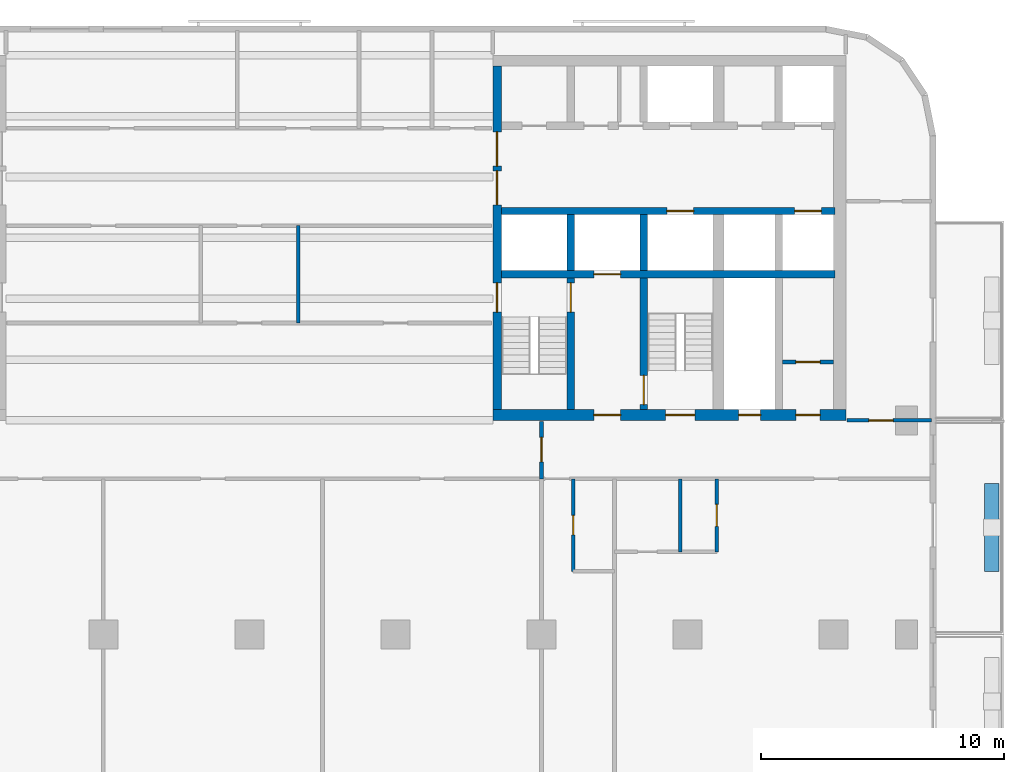
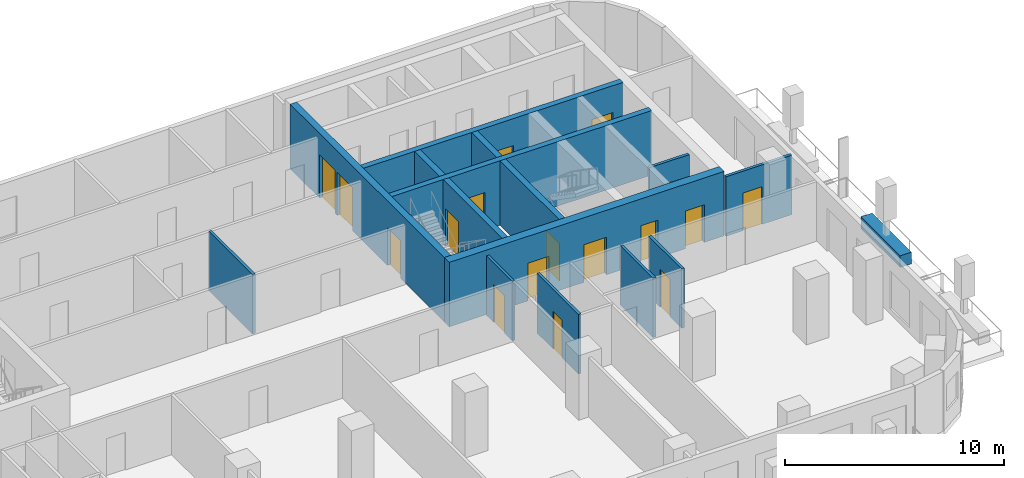
# One storey, part 5 of 11: 17 doors, 16 walls, 17 openings.
"""IFC4 building model written with IfcOpenShell, lengths in metres."""

import ifcopenshell
import ifcopenshell.guid

model = None  # the IFC model being written
_history = None  # IfcOwnerHistory: only IFC2X3 demands one
_inside = {}  # id of a spatial element -> (the spatial element, [elements in it])
_under = {}  # id of a project, library or spatial element -> (it, [spatial elements below it])
_declared = {}  # id of a project -> (the project, [libraries it declares])
_typed = {}  # id of a type object -> (the type object, [elements of that type])
_made_of = {}  # id of a material, layer set ... -> (it, [elements and type objects made of it])


def new_model(schema):
    """Start an empty IFC model of exactly this schema.

    Asked for "IFC4X3", IfcOpenShell would pick the latest addendum, in which some entities
    have other attributes; the version numbers below select the first issue.
    IFC2X3 requires an IfcOwnerHistory on every rooted entity: one is made here for all.
    """
    global model, _history
    if schema == "IFC4X3":
        model = ifcopenshell.file(schema_version=(4, 3, 0, 0))
    else:
        model = ifcopenshell.file(schema=schema)
    _inside.clear()
    _under.clear()
    _declared.clear()
    _typed.clear()
    _made_of.clear()
    _history = None
    if model.schema == "IFC2X3":
        org = make("IfcOrganization", Name="unknown")
        user = make(
            "IfcPersonAndOrganization",
            ThePerson=make("IfcPerson", FamilyName="unknown"),
            TheOrganization=org,
        )
        app = make(
            "IfcApplication",
            ApplicationDeveloper=org,
            Version="unknown",
            ApplicationFullName="unknown",
            ApplicationIdentifier="unknown",
        )
        _history = make(
            "IfcOwnerHistory",
            OwningUser=user,
            OwningApplication=app,
            ChangeAction="ADDED",
            CreationDate=0,
        )
    return model


def make(cls, **values):
    """One entity of the class cls with the attributes given. An attribute that is None is left unset."""
    return model.create_entity(
        cls, **{name: value for name, value in values.items() if value is not None}
    )


def rooted(cls, **values):
    """An entity with a GlobalId (a new one), such as an element, a storey or a relation."""
    return make(cls, GlobalId=ifcopenshell.guid.new(), OwnerHistory=_history, **values)


def si_unit(unit_type, name, prefix=None):
    """IfcSIUnit, for example si_unit("LENGTHUNIT", "METRE", prefix="MILLI")."""
    return make("IfcSIUnit", UnitType=unit_type, Prefix=prefix, Name=name)


def assignment(units):
    """IfcUnitAssignment: the units of a project."""
    return None if units is None else make("IfcUnitAssignment", Units=units)


def point(xyz):
    """IfcCartesianPoint."""
    return None if xyz is None else make("IfcCartesianPoint", Coordinates=xyz)


def direction(xyz):
    """IfcDirection."""
    return None if xyz is None else make("IfcDirection", DirectionRatios=xyz)


def frame(location, z_axis=None, x_axis=None):
    """IfcAxis2Placement3D, a coordinate frame: its origin and axes. An axis left out is left unset."""
    return make(
        "IfcAxis2Placement3D",
        Location=point(location),
        Axis=direction(z_axis),
        RefDirection=direction(x_axis),
    )


def frame_2d(location, x_axis=None):
    """IfcAxis2Placement2D, a coordinate frame in the plane: its origin and x axis."""
    return make(
        "IfcAxis2Placement2D", Location=point(location), RefDirection=direction(x_axis)
    )


def origin():
    """The frame at (0, 0, 0) with its axes left unset."""
    return frame((0.0, 0.0, 0.0))


def place(relative_to, where):
    """IfcLocalPlacement: puts the frame where relative to a parent placement (None: the world)."""
    return make(
        "IfcLocalPlacement", PlacementRelTo=relative_to, RelativePlacement=where
    )


def context(
    kind, dimensions, precision=None, world=None, true_north=None, identifier=None
):
    """IfcGeometricRepresentationContext, for example the 3D "Model" context."""
    return make(
        "IfcGeometricRepresentationContext",
        ContextIdentifier=identifier,
        ContextType=kind,
        CoordinateSpaceDimension=dimensions,
        Precision=precision,
        WorldCoordinateSystem=world,
        TrueNorth=true_north,
    )


def subcontext(parent, identifier, kind, view, scale=None):
    """IfcGeometricRepresentationSubContext, for example "Body" below "Model"."""
    return make(
        "IfcGeometricRepresentationSubContext",
        ContextIdentifier=identifier,
        ContextType=kind,
        ParentContext=parent,
        TargetScale=scale,
        TargetView=view,
    )


def project(units=None, contexts=None):
    """IfcProject with its units and contexts."""
    return rooted(
        "IfcProject",
        Name="project",
        RepresentationContexts=contexts,
        UnitsInContext=assignment(units),
    )


def spatial(cls, under=None, at=None, **own):
    """A site, building, storey or space (cls), placed at a placement, below another one or the project."""
    s = rooted(cls, ObjectPlacement=at, **own)
    if under is not None:
        _under.setdefault(under.id(), (under, []))[1].append(s)
    return s


def profile(cls, at=None, kind="AREA", **sizes):
    """A parametric profile (cls). Its sizes go by their IFC names, for example OverallWidth=200.0."""
    return make(cls, ProfileType=kind, Position=at, **sizes)


def rectangle(**sizes):
    """IfcRectangleProfileDef."""
    return profile("IfcRectangleProfileDef", **sizes)


def extrude(swept, where, along, depth):
    """IfcExtrudedAreaSolid: the profile swept, set in the frame where, extruded along a direction by depth."""
    return make(
        "IfcExtrudedAreaSolid",
        SweptArea=swept,
        Position=where,
        ExtrudedDirection=direction(along),
        Depth=depth,
    )


def shape(context_of_items, identifier, shape_type, items):
    """IfcShapeRepresentation: the items that make up one representation, for example the "Body"."""
    return make(
        "IfcShapeRepresentation",
        ContextOfItems=context_of_items,
        RepresentationIdentifier=identifier,
        RepresentationType=shape_type,
        Items=items,
    )


def material(Name=None, Category=None):
    """IfcMaterial."""
    return make("IfcMaterial", Name=Name, Category=Category)


def layer(
    of_material, thickness, ventilated=None, Name=None, Category=None, Priority=None
):
    """IfcMaterialLayer: one layer of a wall or slab, of a material (None: an air gap)."""
    return make(
        "IfcMaterialLayer",
        Material=of_material,
        LayerThickness=thickness,
        IsVentilated=ventilated,
        Name=Name,
        Category=Category,
        Priority=Priority,
    )


def layer_set(layers, Name=None):
    """IfcMaterialLayerSet."""
    return make("IfcMaterialLayerSet", MaterialLayers=layers, LayerSetName=Name)


def made_of(thing, what):
    """Note that an element or type object is made of a material, layer set ...; save() writes the relation."""
    if what is not None:
        _made_of.setdefault(what.id(), (what, []))[1].append(thing)
    return thing


def type_object(cls, material=None, **own):
    """A type object (cls), such as IfcWallType, which elements share."""
    return made_of(rooted(cls, **own), material)


def element(
    cls,
    number,
    at=None,
    inside=None,
    cuts=None,
    type_object=None,
    material=None,
    context=None,
    identifier="Body",
    shape_type=None,
    held_by="IfcProductDefinitionShape",
    body=None,
    shapes=None,
    **own,
):
    """One element of the class cls, such as IfcWall. Its Tag is "e" and its number.

    at: its placement. inside: the storey or other place that contains it. cuts: it is an
    opening in that element (IfcRelVoidsElement). A single representation is given by context,
    identifier, shape_type and body (its items); several are given by shapes. held_by: the class
    of the entity that holds the representations. save() writes the other relations.
    """
    e = rooted(cls, Tag="e%d" % number, ObjectPlacement=at, **own)
    if body is not None:
        shapes = [shape(context, identifier, shape_type, body)]
    if shapes is not None:
        e.Representation = make(held_by, Representations=shapes)
    if inside is not None:
        _inside.setdefault(inside.id(), (inside, []))[1].append(e)
    if cuts is not None:
        rooted(
            "IfcRelVoidsElement", RelatingBuildingElement=cuts, RelatedOpeningElement=e
        )
    if type_object is not None:
        _typed.setdefault(type_object.id(), (type_object, []))[1].append(e)
    return made_of(e, material)


def fill(opening, filler):
    """IfcRelFillsElement: the door or window that sits in an opening."""
    return rooted(
        "IfcRelFillsElement",
        RelatingOpeningElement=opening,
        RelatedBuildingElement=filler,
    )


def aggregate(whole, parts):
    """IfcRelAggregates: a whole, such as a stair, and the parts it consists of."""
    return rooted("IfcRelAggregates", RelatingObject=whole, RelatedObjects=parts)


def save(model, path):
    """Write the relations noted so far, then the file.

    IfcRelAggregates (storeys below a building ...), IfcRelContainedInSpatialStructure (elements
    in a storey), IfcRelDefinesByType, IfcRelAssociatesMaterial and IfcRelDeclares: one each for
    every whole, place, type object, material and project.
    """
    for whole, parts in _under.values():
        aggregate(whole, parts)
    for where, things in _inside.values():
        rooted(
            "IfcRelContainedInSpatialStructure",
            RelatedElements=things,
            RelatingStructure=where,
        )
    for kind, things in _typed.values():
        rooted("IfcRelDefinesByType", RelatedObjects=things, RelatingType=kind)
    for what, things in _made_of.values():
        rooted("IfcRelAssociatesMaterial", RelatedObjects=things, RelatingMaterial=what)
    for by, libraries in _declared.values():
        rooted("IfcRelDeclares", RelatingContext=by, RelatedDefinitions=libraries)
    model.write(path)


model = new_model("IFC4")

# Units and contexts
model_context = context("Model", 3, precision=1e-05, world=origin(), true_north=direction((0.0, 1.0)))
body_context = subcontext(model_context, "Body", "Model", "MODEL_VIEW")
ifc_project = project(units=[si_unit("LENGTHUNIT", "METRE"), si_unit("AREAUNIT", "SQUARE_METRE"), si_unit("VOLUMEUNIT", "CUBIC_METRE"), si_unit("PLANEANGLEUNIT", "RADIAN"), si_unit("MASSUNIT", "GRAM", prefix="KILO")], contexts=[model_context])

# Site, building, storey
site_placement = place(None, origin())
site = spatial("IfcSite", under=ifc_project, at=site_placement, CompositionType="ELEMENT")
building_placement = place(site_placement, origin())
building = spatial("IfcBuilding", under=site, at=building_placement, Name="Torana Hotel and Residences", CompositionType="ELEMENT")
storey_placement = place(building_placement, frame((0.0, 0.0, 134.39990234375)))
storey = spatial("IfcBuildingStorey", under=building, at=storey_placement, Name="L34", CompositionType="ELEMENT", Elevation=134.39990234375)

# Wall, openings, doors
ifc_material_1 = material(Name="Concrete C70/85", Category="concrete")
ifc_layer_1 = layer(ifc_material_1, 0.300048828125)
ifc_layer_set_1 = layer_set([ifc_layer_1], Name="CORE WALL 300 C70/85")
wall_type_1 = type_object("IfcWallType", Name="CORE WALL 300 C70/85", PredefinedType="SHEAR", material=ifc_layer_set_1)
wall_1_placement = place(storey_placement, frame((10.35009765625, -6.39990234375, 0.0), z_axis=(0.0, 0.0, 1.0), x_axis=(1.0, 0.0, 0.0)))
wall_1 = element("IfcWall", 1, at=wall_1_placement, inside=storey, type_object=wall_type_1, Name="Core wall E row-S", PredefinedType="SHEAR", context=body_context, shape_type="SweptSolid", body=[
    extrude(rectangle(XDim=13.699951171875, YDim=0.300048828125, at=frame_2d((6.85009765625, 0.0))), origin(), (0.0, 0.0, 1.0), 3.60009765625),
])
opening_1_placement = place(wall_1_placement, frame((12.050048828125, 0.0, 0.0)))
opening_1 = element("IfcOpeningElement", 2, at=opening_1_placement, cuts=wall_1, Name="Opening LD", PredefinedType="OPENING", context=body_context, shape_type="SweptSolid", body=[
    extrude(rectangle(XDim=1.10009765625, YDim=2.10009765625, at=frame_2d((0.550048828125, 1.050048828125))), frame((0.0, 0.159912109375, 0.0), z_axis=(0.0, -1.0, 0.0), x_axis=(1.0, 0.0, 0.0)), (0.0, 0.0, 1.0), 0.320068359375),
])
opening_2_placement = place(wall_1_placement, frame((6.800048828125, 0.0, 0.0)))
opening_2 = element("IfcOpeningElement", 3, at=opening_2_placement, cuts=wall_1, Name="Opening LD", PredefinedType="OPENING", context=body_context, shape_type="SweptSolid", body=[
    extrude(rectangle(XDim=1.10009765625, YDim=2.10009765625, at=frame_2d((0.550048828125, 1.050048828125))), frame((0.0, 0.159912109375, 0.0), z_axis=(0.0, -1.0, 0.0), x_axis=(1.0, 0.0, 0.0)), (0.0, 0.0, 1.0), 0.320068359375),
])
ifc_material_2 = material(Name="Stainless steel 316", Category="steel")
door_type_1 = type_object("IfcDoorType", Name="LIFT LANDING DOOR LD 1100x2100", OperationType="DOUBLE_DOOR_SLIDING", PredefinedType="USERDEFINED", material=ifc_material_2)
door_1_placement = place(opening_1_placement, origin())
door_1 = element("IfcDoor", 4, at=door_1_placement, inside=storey, type_object=door_type_1, Name="Lift landing door M4 L34", ObjectType="LIFT LANDING DOOR", OperationType="DOUBLE_DOOR_SLIDING", OverallHeight=2.10009765625, OverallWidth=1.10009765625, PredefinedType="USERDEFINED", context=body_context, shape_type="SweptSolid", body=[
    extrude(rectangle(XDim=1.10009765625, YDim=2.10009765625, at=frame_2d((0.550048828125, 1.050048828125))), frame((0.0, 0.02490234375, 0.0), z_axis=(0.0, -1.0, 0.0), x_axis=(1.0, 0.0, 0.0)), (0.0, 0.0, 1.0), 0.050048828125),
])
fill(opening_1, door_1)
door_2_placement = place(opening_2_placement, origin())
door_2 = element("IfcDoor", 5, at=door_2_placement, inside=storey, type_object=door_type_1, Name="Lift landing door SV2 L34", ObjectType="LIFT LANDING DOOR", OperationType="DOUBLE_DOOR_SLIDING", OverallHeight=2.10009765625, OverallWidth=1.10009765625, PredefinedType="USERDEFINED", context=body_context, shape_type="SweptSolid", body=[
    extrude(rectangle(XDim=1.10009765625, YDim=2.10009765625, at=frame_2d((0.550048828125, 1.050048828125))), frame((0.0, 0.02490234375, 0.0), z_axis=(0.0, -1.0, 0.0), x_axis=(1.0, 0.0, 0.0)), (0.0, 0.0, 1.0), 0.050048828125),
])
fill(opening_2, door_2)

# Wall, opening, door
wall_2_placement = place(storey_placement, frame((10.35009765625, -9.0, 0.0), z_axis=(0.0, 0.0, 1.0), x_axis=(1.0, 0.0, 0.0)))
wall_2 = element("IfcWall", 6, at=wall_2_placement, inside=storey, type_object=wall_type_1, Name="Core wall E band", PredefinedType="SHEAR", context=body_context, shape_type="SweptSolid", body=[
    extrude(rectangle(XDim=13.699951171875, YDim=0.300048828125, at=frame_2d((6.85009765625, 0.0))), origin(), (0.0, 0.0, 1.0), 3.60009765625),
])
opening_3_placement = place(wall_2_placement, frame((3.800048828125, 0.0, 0.0)))
opening_3 = element("IfcOpeningElement", 7, at=opening_3_placement, cuts=wall_2, Name="Opening LD", PredefinedType="OPENING", context=body_context, shape_type="SweptSolid", body=[
    extrude(rectangle(XDim=1.10009765625, YDim=2.10009765625, at=frame_2d((0.550048828125, 1.050048828125))), frame((0.0, 0.159912109375, 0.0), z_axis=(0.0, -1.0, 0.0), x_axis=(1.0, 0.0, 0.0)), (0.0, 0.0, 1.0), 0.320068359375),
])
door_3_placement = place(opening_3_placement, origin())
door_3 = element("IfcDoor", 8, at=door_3_placement, inside=storey, type_object=door_type_1, Name="Lift landing door FF2 L34", ObjectType="LIFT LANDING DOOR", OperationType="DOUBLE_DOOR_SLIDING", OverallHeight=2.10009765625, OverallWidth=1.10009765625, PredefinedType="USERDEFINED", context=body_context, shape_type="SweptSolid", body=[
    extrude(rectangle(XDim=1.10009765625, YDim=2.10009765625, at=frame_2d((0.550048828125, 1.050048828125))), frame((0.0, 0.02490234375, 0.0), z_axis=(0.0, -1.0, 0.0), x_axis=(1.0, 0.0, 0.0)), (0.0, 0.0, 1.0), 0.050048828125),
])
fill(opening_3, door_3)

# Wall
wall_3_placement = place(storey_placement, frame((13.199951171875, -8.85009765625, 0.0), z_axis=(0.0, 0.0, 1.0), x_axis=(0.0, 1.0, 0.0)))
element("IfcWall", 9, at=wall_3_placement, inside=storey, type_object=wall_type_1, Name="Core wall E x3.05-S", PredefinedType="SHEAR", context=body_context, shape_type="SweptSolid", body=[
    extrude(rectangle(XDim=2.300048828125, YDim=0.300048828125, at=frame_2d((1.14990234375, 0.0))), origin(), (0.0, 0.0, 1.0), 3.60009765625),
])

# Wall, opening, door
wall_4_placement = place(storey_placement, frame((13.199951171875, -14.550048828125, 0.0), z_axis=(0.0, 0.0, 1.0), x_axis=(0.0, 1.0, 0.0)))
wall_4 = element("IfcWall", 10, at=wall_4_placement, inside=storey, type_object=wall_type_1, Name="Core wall E x3.05-band", PredefinedType="SHEAR", context=body_context, shape_type="SweptSolid", body=[
    extrude(rectangle(XDim=5.400146484375, YDim=0.300048828125, at=frame_2d((2.7001953125, 0.0))), origin(), (0.0, 0.0, 1.0), 3.60009765625),
])
opening_4_placement = place(wall_4_placement, frame((4.0, 0.0, 0.0)))
opening_4 = element("IfcOpeningElement", 11, at=opening_4_placement, cuts=wall_4, Name="Opening L34-27", PredefinedType="OPENING", context=body_context, shape_type="SweptSolid", body=[
    extrude(rectangle(XDim=1.199951171875, YDim=2.10009765625, at=frame_2d((0.60009765625, 1.050048828125))), frame((0.0, 0.159912109375, 0.0), z_axis=(0.0, -1.0, 0.0), x_axis=(1.0, 0.0, 0.0)), (0.0, 0.0, 1.0), 0.320068359375),
])
ifc_material_3 = material(Name="Steel S235", Category="steel")
door_type_2 = type_object("IfcDoorType", Name="STAIR FIRE DOOR D3 1200x2100", OperationType="SINGLE_SWING_LEFT", PredefinedType="DOOR", material=ifc_material_3)
door_4_placement = place(opening_4_placement, origin())
door_4 = element("IfcDoor", 12, at=door_4_placement, inside=storey, type_object=door_type_2, Name="Stair-A-lobby door L34", OperationType="SINGLE_SWING_LEFT", OverallHeight=2.10009765625, OverallWidth=1.199951171875, PredefinedType="DOOR", context=body_context, shape_type="SweptSolid", body=[
    extrude(rectangle(XDim=1.199951171875, YDim=2.10009765625, at=frame_2d((0.60009765625, 1.050048828125))), frame((0.0, 0.02490234375, 0.0), z_axis=(0.0, -1.0, 0.0), x_axis=(1.0, 0.0, 0.0)), (0.0, 0.0, 1.0), 0.050048828125),
])
fill(opening_4, door_4)

# Wall
wall_5_placement = place(storey_placement, frame((16.199951171875, -8.85009765625, 0.0), z_axis=(0.0, 0.0, 1.0), x_axis=(0.0, 1.0, 0.0)))
element("IfcWall", 13, at=wall_5_placement, inside=storey, type_object=wall_type_1, Name="Core wall E x6.05-S", PredefinedType="SHEAR", context=body_context, shape_type="SweptSolid", body=[
    extrude(rectangle(XDim=2.300048828125, YDim=0.300048828125, at=frame_2d((1.14990234375, 0.0))), origin(), (0.0, 0.0, 1.0), 3.60009765625),
])

# Wall, opening, door
wall_6_placement = place(storey_placement, frame((16.199951171875, -14.550048828125, 0.0), z_axis=(0.0, 0.0, 1.0), x_axis=(0.0, 1.0, 0.0)))
wall_6 = element("IfcWall", 14, at=wall_6_placement, inside=storey, type_object=wall_type_1, Name="Core wall E x6.05-band", PredefinedType="SHEAR", context=body_context, shape_type="SweptSolid", body=[
    extrude(rectangle(XDim=5.400146484375, YDim=0.300048828125, at=frame_2d((2.7001953125, 0.0))), origin(), (0.0, 0.0, 1.0), 3.60009765625),
])
opening_5_placement = place(wall_6_placement, frame((0.199951171875, 0.0, 0.0)))
opening_5 = element("IfcOpeningElement", 15, at=opening_5_placement, cuts=wall_6, Name="Opening L34-28", PredefinedType="OPENING", context=body_context, shape_type="SweptSolid", body=[
    extrude(rectangle(XDim=1.199951171875, YDim=2.10009765625, at=frame_2d((0.60009765625, 1.050048828125))), frame((0.0, 0.159912109375, 0.0), z_axis=(0.0, -1.0, 0.0), x_axis=(1.0, 0.0, 0.0)), (0.0, 0.0, 1.0), 0.320068359375),
])
door_5_placement = place(opening_5_placement, frame((0.60009765625, 0.0, 0.0), z_axis=(0.0, 0.0, 1.0), x_axis=(-1.0, 0.0, 0.0)))
door_5 = element("IfcDoor", 16, at=door_5_placement, inside=storey, type_object=door_type_2, Name="Stair-B-lobby door L34", OperationType="SINGLE_SWING_LEFT", OverallHeight=2.10009765625, OverallWidth=1.199951171875, PredefinedType="DOOR", context=body_context, shape_type="SweptSolid", body=[
    extrude(rectangle(XDim=1.199951171875, YDim=2.10009765625, at=frame_2d((0.0, 1.050048828125))), frame((0.0, -0.02490234375, 0.0), z_axis=(0.0, 1.0, 0.0), x_axis=(-1.0, 0.0, 0.0)), (0.0, 0.0, 1.0), 0.050048828125),
])
fill(opening_5, door_5)

# Wall, openings, doors
ifc_material_4 = material(Name="Concrete C70/85", Category="concrete")
ifc_layer_2 = layer(ifc_material_4, 0.35009765625)
ifc_layer_set_2 = layer_set([ifc_layer_2], Name="CORE WALL 350 C70/85")
wall_type_2 = type_object("IfcWallType", Name="CORE WALL 350 C70/85", PredefinedType="SHEAR", material=ifc_layer_set_2)
wall_7_placement = place(storey_placement, frame((10.175048828125, -14.550048828125, 0.0), z_axis=(0.0, 0.0, 1.0), x_axis=(0.0, 1.0, 0.0)))
wall_7 = element("IfcWall", 17, at=wall_7_placement, inside=storey, type_object=wall_type_2, Name="Core wall E arch", PredefinedType="SHEAR", context=body_context, shape_type="SweptSolid", body=[
    extrude(rectangle(XDim=14.10009765625, YDim=0.35009765625, at=frame_2d((7.050048828125, 0.0))), origin(), (0.0, 0.0, 1.0), 3.60009765625),
])
opening_6_placement = place(wall_7_placement, frame((8.39990234375, 0.0, 0.0)))
opening_6 = element("IfcOpeningElement", 18, at=opening_6_placement, cuts=wall_7, Name="Opening L34-15", PredefinedType="OPENING", context=body_context, shape_type="SweptSolid", body=[
    extrude(rectangle(XDim=1.39990234375, YDim=2.39990234375, at=frame_2d((0.699951171875, 1.199951171875))), frame((0.0, 0.18505859375, 0.0), z_axis=(0.0, -1.0, 0.0), x_axis=(1.0, 0.0, 0.0)), (0.0, 0.0, 1.0), 0.3701171875),
])
opening_7_placement = place(wall_7_placement, frame((10.0, 0.0, 0.0)))
opening_7 = element("IfcOpeningElement", 19, at=opening_7_placement, cuts=wall_7, Name="Opening L34-16", PredefinedType="OPENING", context=body_context, shape_type="SweptSolid", body=[
    extrude(rectangle(XDim=1.39990234375, YDim=2.39990234375, at=frame_2d((0.699951171875, 1.199951171875))), frame((0.0, 0.18505859375, 0.0), z_axis=(0.0, -1.0, 0.0), x_axis=(1.0, 0.0, 0.0)), (0.0, 0.0, 1.0), 0.3701171875),
])
opening_8_placement = place(wall_7_placement, frame((4.0, 0.0, 0.0)))
opening_8 = element("IfcOpeningElement", 20, at=opening_8_placement, cuts=wall_7, Name="Opening L34-17", PredefinedType="OPENING", context=body_context, shape_type="SweptSolid", body=[
    extrude(rectangle(XDim=1.199951171875, YDim=2.10009765625, at=frame_2d((0.60009765625, 1.050048828125))), frame((0.0, 0.18505859375, 0.0), z_axis=(0.0, -1.0, 0.0), x_axis=(1.0, 0.0, 0.0)), (0.0, 0.0, 1.0), 0.3701171875),
])
ifc_material_5 = material(Name="Steel S235", Category="steel")
door_type_3 = type_object("IfcDoorType", Name="LOBBY FIRE DOOR D4 1400x2400", OperationType="DOUBLE_DOOR_SINGLE_SWING", PredefinedType="DOOR", material=ifc_material_5)
door_6_placement = place(opening_6_placement, origin())
door_6 = element("IfcDoor", 21, at=door_6_placement, inside=storey, type_object=door_type_3, Name="Lobby-1 door L34", OperationType="DOUBLE_DOOR_SINGLE_SWING", OverallHeight=2.39990234375, OverallWidth=1.39990234375, PredefinedType="DOOR", context=body_context, shape_type="SweptSolid", body=[
    extrude(rectangle(XDim=1.39990234375, YDim=2.39990234375, at=frame_2d((0.699951171875, 1.199951171875))), frame((0.0, 0.02490234375, 0.0), z_axis=(0.0, -1.0, 0.0), x_axis=(1.0, 0.0, 0.0)), (0.0, 0.0, 1.0), 0.050048828125),
])
fill(opening_6, door_6)
door_7_placement = place(opening_7_placement, origin())
door_7 = element("IfcDoor", 22, at=door_7_placement, inside=storey, type_object=door_type_3, Name="Lobby-2 door L34", OperationType="DOUBLE_DOOR_SINGLE_SWING", OverallHeight=2.39990234375, OverallWidth=1.39990234375, PredefinedType="DOOR", context=body_context, shape_type="SweptSolid", body=[
    extrude(rectangle(XDim=1.39990234375, YDim=2.39990234375, at=frame_2d((0.699951171875, 1.199951171875))), frame((0.0, 0.02490234375, 0.0), z_axis=(0.0, -1.0, 0.0), x_axis=(1.0, 0.0, 0.0)), (0.0, 0.0, 1.0), 0.050048828125),
])
fill(opening_7, door_7)
door_8_placement = place(opening_8_placement, frame((0.60009765625, 0.0, 0.0), z_axis=(0.0, 0.0, 1.0), x_axis=(-1.0, 0.0, 0.0)))
door_8 = element("IfcDoor", 23, at=door_8_placement, inside=storey, type_object=door_type_2, Name="Stair-A door L34", OperationType="SINGLE_SWING_RIGHT", OverallHeight=2.10009765625, OverallWidth=1.199951171875, PredefinedType="DOOR", context=body_context, shape_type="SweptSolid", body=[
    extrude(rectangle(XDim=1.199951171875, YDim=2.10009765625, at=frame_2d((0.0, 1.050048828125))), frame((0.0, -0.02490234375, 0.0), z_axis=(0.0, 1.0, 0.0), x_axis=(-1.0, 0.0, 0.0)), (0.0, 0.0, 1.0), 0.050048828125),
])
fill(opening_8, door_8)

ifc_material_6 = material(Name="Concrete C70/85", Category="concrete")
ifc_layer_3 = layer(ifc_material_6, 0.449951171875)
ifc_layer_set_3 = layer_set([ifc_layer_3], Name="CORE WALL 450 C70/85")
wall_type_3 = type_object("IfcWallType", Name="CORE WALL 450 C70/85", PredefinedType="SHEAR", material=ifc_layer_set_3)
wall_8_placement = place(storey_placement, frame((10.0, -14.77490234375, 0.0), z_axis=(0.0, 0.0, 1.0), x_axis=(1.0, 0.0, 0.0)))
wall_8 = element("IfcWall", 24, at=wall_8_placement, inside=storey, type_object=wall_type_3, Name="Core wall E front", PredefinedType="SHEAR", context=body_context, shape_type="SweptSolid", body=[
    extrude(rectangle(XDim=14.5, YDim=0.449951171875, at=frame_2d((7.25, 0.0))), origin(), (0.0, 0.0, 1.0), 3.60009765625),
])
opening_9_placement = place(wall_8_placement, frame((7.10009765625, 0.0, 0.0)))
opening_9 = element("IfcOpeningElement", 25, at=opening_9_placement, cuts=wall_8, Name="Opening L34-18", PredefinedType="OPENING", context=body_context, shape_type="SweptSolid", body=[
    extrude(rectangle(XDim=1.199951171875, YDim=2.10009765625, at=frame_2d((0.60009765625, 1.050048828125))), frame((0.0, 0.23486328125, 0.0), z_axis=(0.0, -1.0, 0.0), x_axis=(1.0, 0.0, 0.0)), (0.0, 0.0, 1.0), 0.469970703125),
])
opening_10_placement = place(wall_8_placement, frame((4.14990234375, 0.0, 0.0)))
opening_10 = element("IfcOpeningElement", 26, at=opening_10_placement, cuts=wall_8, Name="Opening L34-19", PredefinedType="OPENING", context=body_context, shape_type="SweptSolid", body=[
    extrude(rectangle(XDim=1.10009765625, YDim=2.10009765625, at=frame_2d((0.550048828125, 1.050048828125))), frame((0.0, 0.23486328125, 0.0), z_axis=(0.0, -1.0, 0.0), x_axis=(1.0, 0.0, 0.0)), (0.0, 0.0, 1.0), 0.469970703125),
])
opening_11_placement = place(wall_8_placement, frame((10.10009765625, 0.0, 0.0)))
opening_11 = element("IfcOpeningElement", 27, at=opening_11_placement, cuts=wall_8, Name="Opening L34-20", PredefinedType="OPENING", context=body_context, shape_type="SweptSolid", body=[
    extrude(rectangle(XDim=0.89990234375, YDim=2.10009765625, at=frame_2d((0.449951171875, 1.050048828125))), frame((0.0, 0.23486328125, 0.0), z_axis=(0.0, -1.0, 0.0), x_axis=(1.0, 0.0, 0.0)), (0.0, 0.0, 1.0), 0.469970703125),
])
opening_12_placement = place(wall_8_placement, frame((12.449951171875, 0.0, 0.0)))
opening_12 = element("IfcOpeningElement", 28, at=opening_12_placement, cuts=wall_8, Name="Opening L34-21", PredefinedType="OPENING", context=body_context, shape_type="SweptSolid", body=[
    extrude(rectangle(XDim=1.0, YDim=2.10009765625, at=frame_2d((0.5, 1.050048828125))), frame((0.0, 0.23486328125, 0.0), z_axis=(0.0, -1.0, 0.0), x_axis=(1.0, 0.0, 0.0)), (0.0, 0.0, 1.0), 0.469970703125),
])
ifc_material_7 = material(Name="Steel S235", Category="steel")
door_type_4 = type_object("IfcDoorType", Name="CORE ROOM FIRE DOOR D14 1000x2100", OperationType="SINGLE_SWING_LEFT", PredefinedType="DOOR", material=ifc_material_7)
door_9_placement = place(opening_12_placement, origin())
door_9 = element("IfcDoor", 29, at=door_9_placement, inside=storey, type_object=door_type_4, Name="M-Room-B door L34", OperationType="SINGLE_SWING_RIGHT", OverallHeight=2.10009765625, OverallWidth=1.0, PredefinedType="DOOR", context=body_context, shape_type="SweptSolid", body=[
    extrude(rectangle(XDim=1.0, YDim=2.10009765625, at=frame_2d((0.5, 1.050048828125))), frame((0.0, 0.02490234375, 0.0), z_axis=(0.0, -1.0, 0.0), x_axis=(1.0, 0.0, 0.0)), (0.0, 0.0, 1.0), 0.050048828125),
])
fill(opening_12, door_9)
ifc_material_8 = material(Name="Steel S235", Category="steel")
door_type_5 = type_object("IfcDoorType", Name="FIRE-FIGHTING LOBBY DOOR D8 1100x2100", OperationType="SINGLE_SWING_LEFT", PredefinedType="DOOR", material=ifc_material_8)
door_10_placement = place(opening_10_placement, origin())
door_10 = element("IfcDoor", 30, at=door_10_placement, inside=storey, type_object=door_type_5, Name="FF-lobby door L34", OperationType="SINGLE_SWING_RIGHT", OverallHeight=2.10009765625, OverallWidth=1.10009765625, PredefinedType="DOOR", context=body_context, shape_type="SweptSolid", body=[
    extrude(rectangle(XDim=1.10009765625, YDim=2.10009765625, at=frame_2d((0.550048828125, 1.050048828125))), frame((0.0, 0.02490234375, 0.0), z_axis=(0.0, -1.0, 0.0), x_axis=(1.0, 0.0, 0.0)), (0.0, 0.0, 1.0), 0.050048828125),
])
fill(opening_10, door_10)
ifc_material_9 = material(Name="Steel S235", Category="steel")
door_type_6 = type_object("IfcDoorType", Name="RISER ACCESS DOOR D5 900x2100", OperationType="SINGLE_SWING_LEFT", PredefinedType="DOOR", material=ifc_material_9)
door_11_placement = place(opening_11_placement, origin())
door_11 = element("IfcDoor", 31, at=door_11_placement, inside=storey, type_object=door_type_6, Name="M-Riser door L34", OperationType="SINGLE_SWING_RIGHT", OverallHeight=2.10009765625, OverallWidth=0.89990234375, PredefinedType="DOOR", context=body_context, shape_type="SweptSolid", body=[
    extrude(rectangle(XDim=0.89990234375, YDim=2.10009765625, at=frame_2d((0.449951171875, 1.050048828125))), frame((0.0, 0.02490234375, 0.0), z_axis=(0.0, -1.0, 0.0), x_axis=(1.0, 0.0, 0.0)), (0.0, 0.0, 1.0), 0.050048828125),
])
fill(opening_11, door_11)
door_12_placement = place(opening_9_placement, origin())
door_12 = element("IfcDoor", 32, at=door_12_placement, inside=storey, type_object=door_type_2, Name="Stair-B door L34", OperationType="SINGLE_SWING_RIGHT", OverallHeight=2.10009765625, OverallWidth=1.199951171875, PredefinedType="DOOR", context=body_context, shape_type="SweptSolid", body=[
    extrude(rectangle(XDim=1.199951171875, YDim=2.10009765625, at=frame_2d((0.60009765625, 1.050048828125))), frame((0.0, 0.02490234375, 0.0), z_axis=(0.0, -1.0, 0.0), x_axis=(1.0, 0.0, 0.0)), (0.0, 0.0, 1.0), 0.050048828125),
])
fill(opening_9, door_12)

# Wall, opening, door
ifc_material_10 = material(Name="Gypsum plaster")
ifc_layer_4 = layer(ifc_material_10, 0.014892578125, Name="Plaster", Category="finish")
ifc_material_11 = material(Name="Concrete blockwork", Category="masonry")
ifc_layer_5 = layer(ifc_material_11, 0.1201171875, Name="Blockwork", Category="structure")
ifc_layer_6 = layer(ifc_material_10, 0.014892578125, Name="Plaster", Category="finish")
ifc_layer_set_4 = layer_set([ifc_layer_4, ifc_layer_5, ifc_layer_6], Name="FIRE PARTITION 150 BLOCKWORK")
wall_type_4 = type_object("IfcWallType", Name="FIRE PARTITION 150 BLOCKWORK", PredefinedType="PARTITIONING", material=ifc_layer_set_4)
wall_9_placement = place(storey_placement, frame((21.89990234375, -12.60009765625, 0.0), z_axis=(0.0, 0.0, 1.0), x_axis=(1.0, 0.0, 0.0)))
wall_9 = element("IfcWall", 33, at=wall_9_placement, inside=storey, type_object=wall_type_4, Name="Core partition L34", PredefinedType="PARTITIONING", context=body_context, shape_type="SweptSolid", body=[
    extrude(rectangle(XDim=2.10009765625, YDim=0.14990234375, at=frame_2d((1.050048828125, 0.0))), origin(), (0.0, 0.0, 1.0), 3.300048828125),
])
opening_13_placement = place(wall_9_placement, frame((0.550048828125, 0.0, 0.0)))
opening_13 = element("IfcOpeningElement", 34, at=opening_13_placement, cuts=wall_9, Name="Opening L34-30", PredefinedType="OPENING", context=body_context, shape_type="SweptSolid", body=[
    extrude(rectangle(XDim=1.0, YDim=2.10009765625, at=frame_2d((0.5, 1.050048828125))), frame((0.0, 0.0849609375, 0.0), z_axis=(0.0, -1.0, 0.0), x_axis=(1.0, 0.0, 0.0)), (0.0, 0.0, 1.0), 0.169921875),
])
door_13_placement = place(opening_13_placement, origin())
door_13 = element("IfcDoor", 35, at=door_13_placement, inside=storey, type_object=door_type_4, Name="Plant room door L34", OperationType="SINGLE_SWING_RIGHT", OverallHeight=2.10009765625, OverallWidth=1.0, PredefinedType="DOOR", context=body_context, shape_type="SweptSolid", body=[
    extrude(rectangle(XDim=1.0, YDim=2.10009765625, at=frame_2d((0.5, 1.050048828125))), frame((0.0, 0.02490234375, 0.0), z_axis=(0.0, -1.0, 0.0), x_axis=(1.0, 0.0, 0.0)), (0.0, 0.0, 1.0), 0.050048828125),
])
fill(opening_13, door_13)

wall_10_placement = place(storey_placement, frame((12.0, -17.39990234375, 0.0), z_axis=(0.0, 0.0, 1.0), x_axis=(0.0, 1.0, 0.0)))
wall_10 = element("IfcWall", 36, at=wall_10_placement, inside=storey, type_object=wall_type_4, Name="Partition L34", PredefinedType="PARTITIONING", context=body_context, shape_type="SweptSolid", body=[
    extrude(rectangle(XDim=2.349853515625, YDim=0.14990234375, at=frame_2d((1.1748046875, 0.0))), origin(), (0.0, 0.0, 1.0), 3.320068359375),
])
opening_14_placement = place(wall_10_placement, frame((0.699951171875, 0.0, 0.0)))
opening_14 = element("IfcOpeningElement", 37, at=opening_14_placement, cuts=wall_10, Name="Opening L34-36", PredefinedType="OPENING", context=body_context, shape_type="SweptSolid", body=[
    extrude(rectangle(XDim=1.0, YDim=2.10009765625, at=frame_2d((0.5, 1.050048828125))), frame((0.0, 0.0849609375, 0.0), z_axis=(0.0, -1.0, 0.0), x_axis=(1.0, 0.0, 0.0)), (0.0, 0.0, 1.0), 0.169921875),
])
ifc_material_12 = material(Name="Steel S235", Category="steel")
door_type_7 = type_object("IfcDoorType", Name="ENTRY FIRE DOOR D6 1000x2100", OperationType="SINGLE_SWING_LEFT", PredefinedType="DOOR", material=ifc_material_12)
door_14_placement = place(opening_14_placement, origin())
door_14 = element("IfcDoor", 38, at=door_14_placement, inside=storey, type_object=door_type_7, Name="Door L34", OperationType="SINGLE_SWING_RIGHT", OverallHeight=2.10009765625, OverallWidth=1.0, PredefinedType="DOOR", context=body_context, shape_type="SweptSolid", body=[
    extrude(rectangle(XDim=1.0, YDim=2.10009765625, at=frame_2d((0.5, 1.050048828125))), frame((0.0, 0.02490234375, 0.0), z_axis=(0.0, -1.0, 0.0), x_axis=(1.0, 0.0, 0.0)), (0.0, 0.0, 1.0), 0.050048828125),
])
fill(opening_14, door_14)

# Wall
wall_11_placement = place(storey_placement, frame((2.0, -11.0, 0.0), z_axis=(0.0, 0.0, 1.0), x_axis=(0.0, 1.0, 0.0)))
element("IfcWall", 39, at=wall_11_placement, inside=storey, type_object=wall_type_4, Name="Partition L34", PredefinedType="PARTITIONING", context=body_context, shape_type="SweptSolid", body=[
    extrude(rectangle(XDim=4.0, YDim=0.14990234375, at=frame_2d((2.0, 0.0))), origin(), (0.0, 0.0, 1.0), 3.320068359375),
])

# Wall, opening, door
wall_12_placement = place(storey_placement, frame((24.550048828125, -15.0, 0.0), z_axis=(0.0, 0.0, 1.0), x_axis=(1.0, 0.0, 0.0)))
wall_12 = element("IfcWall", 40, at=wall_12_placement, inside=storey, type_object=wall_type_4, Name="Partition L34", PredefinedType="PARTITIONING", context=body_context, shape_type="SweptSolid", body=[
    extrude(rectangle(XDim=3.469970703125, YDim=0.14990234375, at=frame_2d((1.73486328125, 0.0))), origin(), (0.0, 0.0, 1.0), 3.320068359375),
])
opening_15_placement = place(wall_12_placement, frame((0.89990234375, 0.0, 0.0)))
opening_15 = element("IfcOpeningElement", 41, at=opening_15_placement, cuts=wall_12, Name="Opening L34-39", PredefinedType="OPENING", context=body_context, shape_type="SweptSolid", body=[
    extrude(rectangle(XDim=1.0, YDim=2.10009765625, at=frame_2d((0.5, 1.050048828125))), frame((0.0, 0.0849609375, 0.0), z_axis=(0.0, -1.0, 0.0), x_axis=(1.0, 0.0, 0.0)), (0.0, 0.0, 1.0), 0.169921875),
])
door_15_placement = place(opening_15_placement, origin())
door_15 = element("IfcDoor", 42, at=door_15_placement, inside=storey, type_object=door_type_4, Name="Door L34", OperationType="SINGLE_SWING_LEFT", OverallHeight=2.10009765625, OverallWidth=1.0, PredefinedType="DOOR", context=body_context, shape_type="SweptSolid", body=[
    extrude(rectangle(XDim=1.0, YDim=2.10009765625, at=frame_2d((0.5, 1.050048828125))), frame((0.0, 0.02490234375, 0.0), z_axis=(0.0, -1.0, 0.0), x_axis=(1.0, 0.0, 0.0)), (0.0, 0.0, 1.0), 0.050048828125),
])
fill(opening_15, door_15)

ifc_material_13 = material(Name="Gypsum plasterboard")
ifc_layer_7 = layer(ifc_material_13, 0.012451171875, Name="Plasterboard", Category="finish")
ifc_layer_8 = layer(ifc_material_13, 0.012451171875, Name="Plasterboard", Category="finish")
ifc_material_14 = material(Name="Steel S280GD", Category="steel")
ifc_layer_9 = layer(ifc_material_14, 0.10009765625, Name="Steel studs with mineral wool", Category="insulation")
ifc_layer_10 = layer(ifc_material_13, 0.012451171875, Name="Plasterboard", Category="finish")
ifc_layer_11 = layer(ifc_material_13, 0.012451171875, Name="Plasterboard", Category="finish")
ifc_layer_set_5 = layer_set([ifc_layer_7, ifc_layer_8, ifc_layer_9, ifc_layer_10, ifc_layer_11], Name="PARTITION 150 PLASTERBOARD")
wall_type_5 = type_object("IfcWallType", Name="PARTITION 150 PLASTERBOARD", PredefinedType="PARTITIONING", material=ifc_layer_set_5)
wall_13_placement = place(storey_placement, frame((19.199951171875, -20.39990234375, 0.0), z_axis=(0.0, 0.0, 1.0), x_axis=(0.0, 1.0, 0.0)))
wall_13 = element("IfcWall", 43, at=wall_13_placement, inside=storey, type_object=wall_type_5, Name="Partition L34", PredefinedType="PARTITIONING", context=body_context, shape_type="SweptSolid", body=[
    extrude(rectangle(XDim=3.0, YDim=0.14990234375, at=frame_2d((1.5, 0.0))), origin(), (0.0, 0.0, 1.0), 3.320068359375),
])
opening_16_placement = place(wall_13_placement, frame((1.050048828125, 0.0, 0.0)))
opening_16 = element("IfcOpeningElement", 44, at=opening_16_placement, cuts=wall_13, Name="Opening L34-57", PredefinedType="OPENING", context=body_context, shape_type="SweptSolid", body=[
    extrude(rectangle(XDim=0.89990234375, YDim=2.10009765625, at=frame_2d((0.449951171875, 1.050048828125))), frame((0.0, 0.0849609375, 0.0), z_axis=(0.0, -1.0, 0.0), x_axis=(1.0, 0.0, 0.0)), (0.0, 0.0, 1.0), 0.169921875),
])
ifc_material_15 = material(Name="Timber door, oiled ash", Category="wood")
door_type_8 = type_object("IfcDoorType", Name="ROOM DOOR D7 900x2100", OperationType="SINGLE_SWING_LEFT", PredefinedType="DOOR", material=ifc_material_15)
door_16_placement = place(opening_16_placement, origin())
door_16 = element("IfcDoor", 45, at=door_16_placement, inside=storey, type_object=door_type_8, Name="Door L34", OperationType="SINGLE_SWING_RIGHT", OverallHeight=2.10009765625, OverallWidth=0.89990234375, PredefinedType="DOOR", context=body_context, shape_type="SweptSolid", body=[
    extrude(rectangle(XDim=0.89990234375, YDim=2.10009765625, at=frame_2d((0.449951171875, 1.050048828125))), frame((0.0, 0.02490234375, 0.0), z_axis=(0.0, -1.0, 0.0), x_axis=(1.0, 0.0, 0.0)), (0.0, 0.0, 1.0), 0.050048828125),
])
fill(opening_16, door_16)

# Wall
wall_14_placement = place(storey_placement, frame((17.699951171875, -20.39990234375, 0.0), z_axis=(0.0, 0.0, 1.0), x_axis=(0.0, 1.0, 0.0)))
element("IfcWall", 46, at=wall_14_placement, inside=storey, type_object=wall_type_5, Name="Partition L34", PredefinedType="PARTITIONING", context=body_context, shape_type="SweptSolid", body=[
    extrude(rectangle(XDim=3.0, YDim=0.14990234375, at=frame_2d((1.5, 0.0))), origin(), (0.0, 0.0, 1.0), 3.320068359375),
])

# Wall, opening, door
wall_15_placement = place(storey_placement, frame((13.300048828125, -21.199951171875, 0.0), z_axis=(0.0, 0.0, 1.0), x_axis=(0.0, 1.0, 0.0)))
wall_15 = element("IfcWall", 47, at=wall_15_placement, inside=storey, type_object=wall_type_5, Name="Partition L34", PredefinedType="PARTITIONING", context=body_context, shape_type="SweptSolid", body=[
    extrude(rectangle(XDim=3.800048828125, YDim=0.14990234375, at=frame_2d((1.89990234375, 0.0))), origin(), (0.0, 0.0, 1.0), 3.320068359375),
])
opening_17_placement = place(wall_15_placement, frame((1.5, 0.0, 0.0)))
opening_17 = element("IfcOpeningElement", 48, at=opening_17_placement, cuts=wall_15, Name="Opening L34-53", PredefinedType="OPENING", context=body_context, shape_type="SweptSolid", body=[
    extrude(rectangle(XDim=0.800048828125, YDim=2.10009765625, at=frame_2d((0.39990234375, 1.050048828125))), frame((0.0, 0.0849609375, 0.0), z_axis=(0.0, -1.0, 0.0), x_axis=(1.0, 0.0, 0.0)), (0.0, 0.0, 1.0), 0.169921875),
])
ifc_material_16 = material(Name="Timber door, painted", Category="wood")
door_type_9 = type_object("IfcDoorType", Name="BATH DOOR D13 800x2100", OperationType="SINGLE_SWING_LEFT", PredefinedType="DOOR", material=ifc_material_16)
door_17_placement = place(opening_17_placement, origin())
door_17 = element("IfcDoor", 49, at=door_17_placement, inside=storey, type_object=door_type_9, Name="Door L34", OperationType="SINGLE_SWING_RIGHT", OverallHeight=2.10009765625, OverallWidth=0.800048828125, PredefinedType="DOOR", context=body_context, shape_type="SweptSolid", body=[
    extrude(rectangle(XDim=0.800048828125, YDim=2.10009765625, at=frame_2d((0.39990234375, 1.050048828125))), frame((0.0, 0.02490234375, 0.0), z_axis=(0.0, -1.0, 0.0), x_axis=(1.0, 0.0, 0.0)), (0.0, 0.0, 1.0), 0.050048828125),
])
fill(opening_17, door_17)

# Wall
ifc_material_17 = material(Name="Concrete C40/50 precast", Category="concrete")
ifc_layer_12 = layer(ifc_material_17, 0.10009765625, Name="Planter shell", Category="structure")
ifc_material_18 = material(Name="Root resistant membrane")
ifc_layer_13 = layer(ifc_material_18, 0.00390625, Name="Waterproofing membrane", Category="membrane")
ifc_material_19 = material(Name="Drainage board with filter fleece")
ifc_layer_14 = layer(ifc_material_19, 0.02001953125, Name="Drainage board", Category="drainage")
ifc_material_20 = material(Name="Growing medium")
ifc_layer_15 = layer(ifc_material_20, 0.47607421875, Name="Planting substrate", Category="soil")
ifc_layer_set_6 = layer_set([ifc_layer_12, ifc_layer_13, ifc_layer_14, ifc_layer_15], Name="PL1 BALCONY PLANTER 600")
wall_type_6 = type_object("IfcWallType", Name="PL1 BALCONY PLANTER 600", PredefinedType="USERDEFINED", material=ifc_layer_set_6)
wall_16_placement = place(storey_placement, frame((30.5, -17.60009765625, 0.0), z_axis=(0.0, 0.0, 1.0), x_axis=(0.0, -1.0, 0.0)))
element("IfcWall", 50, at=wall_16_placement, inside=storey, type_object=wall_type_6, Name="Planter 13", ObjectType="PLANTER", PredefinedType="USERDEFINED", context=body_context, shape_type="SweptSolid", body=[
    extrude(rectangle(XDim=3.599853515625, YDim=0.60009765625, at=frame_2d((1.7998046875, 0.0))), origin(), (0.0, 0.0, 1.0), 0.650146484375),
])

save(model, "model.ifc")
